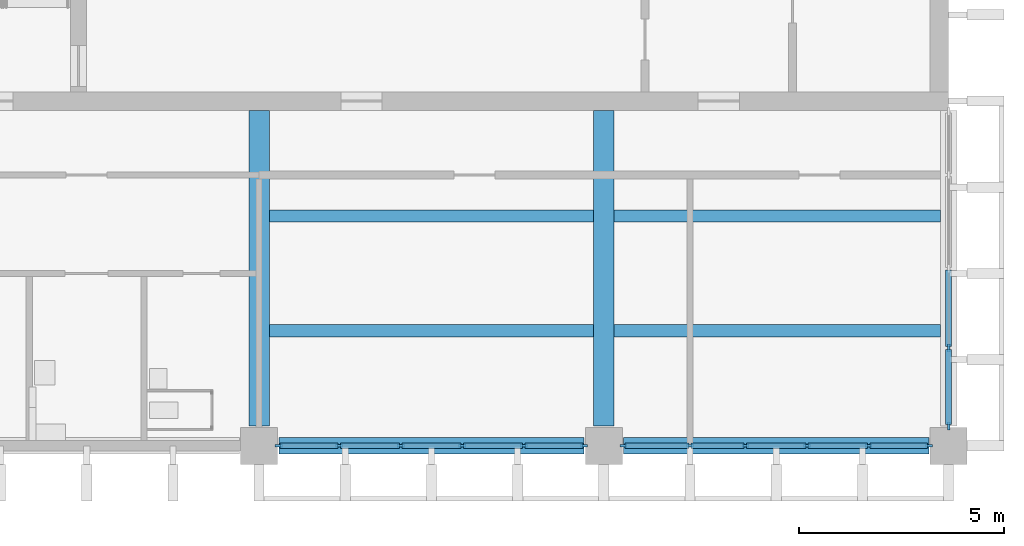
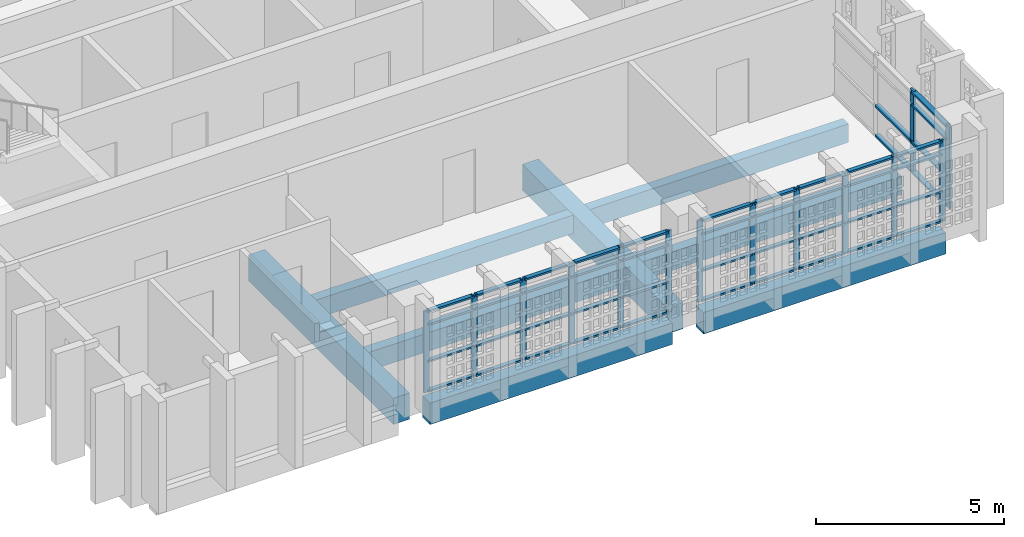
# One storey, part 2 of 13: 60 members, 8 beams, 3 elements without a shape of their own.
"""IFC4 building model written with IfcOpenShell, lengths in metres."""

from ifc_helpers import new_model, si_unit, direction, frame, origin, origin_2d, place, context, subcontext, project, spatial, rectangle, extrude, material, layer, layer_set, material_profile, profile_set, type_object, element, aggregate, save


model = new_model("IFC4")

# Units and contexts
model_context = context("Model", 3, precision=1e-05, world=origin(), true_north=direction((0.0, 1.0)))
body_context = subcontext(model_context, "Body", "Model", "MODEL_VIEW")
ifc_project = project(units=[si_unit("LENGTHUNIT", "METRE"), si_unit("AREAUNIT", "SQUARE_METRE"), si_unit("VOLUMEUNIT", "CUBIC_METRE"), si_unit("PLANEANGLEUNIT", "RADIAN"), si_unit("MASSUNIT", "GRAM", prefix="KILO")], contexts=[model_context])

# Site, building, storey
site_placement = place(None, origin())
site = spatial("IfcSite", under=ifc_project, at=site_placement, CompositionType="ELEMENT")
building_placement = place(site_placement, origin())
building = spatial("IfcBuilding", under=site, at=building_placement, Name="Rulbaag Community and Learning Centre", CompositionType="ELEMENT")
storey_placement = place(building_placement, frame((0.0, 0.0, 25.199951171875)))
storey = spatial("IfcBuildingStorey", under=building, at=storey_placement, Name="L06", CompositionType="ELEMENT", Elevation=25.199951171875)

# Beams
ifc_material_1 = material(Name="Concrete M40", Category="concrete")
ifc_material_profile_1 = material_profile(ifc_material_1, rectangle(XDim=0.39990234375, YDim=0.699951171875, at=origin_2d()), Name="RB400x700")
ifc_profile_set_1 = profile_set([ifc_material_profile_1], Name="Concrete M40")
beam_type_1 = type_object("IfcBeamType", Name="B17 Tower edge beam, lower zone 400x700 Concrete M40", PredefinedType="BEAM", material=ifc_profile_set_1)
beam_1_placement = place(storey_placement, frame((151.679931640625, 84.0, -0.599853515625), z_axis=(1.0, 0.0, 0.0), x_axis=(0.0, 1.0, 0.0)))
element("IfcBeam", 1, at=beam_1_placement, inside=storey, type_object=beam_type_1, Name="BM-L06-19K-20K", PredefinedType="BEAM", context=body_context, shape_type="SweptSolid", body=[
    extrude(rectangle(XDim=0.39990234375, YDim=0.699951171875, at=origin_2d()), origin(), (0.0, 0.0, 1.0), 7.440185546875),
])
beam_2_placement = place(storey_placement, frame((160.080078125, 84.0, -0.599853515625), z_axis=(1.0, 0.0, 0.0), x_axis=(0.0, 1.0, 0.0)))
element("IfcBeam", 2, at=beam_2_placement, inside=storey, type_object=beam_type_1, Name="BM-L06-20K-21K", PredefinedType="BEAM", context=body_context, shape_type="SweptSolid", body=[
    extrude(rectangle(XDim=0.39990234375, YDim=0.699951171875, at=origin_2d()), origin(), (0.0, 0.0, 1.0), 7.43994140625),
])
ifc_material_profile_2 = material_profile(ifc_material_1, rectangle(XDim=0.5, YDim=0.85009765625, at=origin_2d()), Name="RB500x850")
ifc_profile_set_2 = profile_set([ifc_material_profile_2], Name="Concrete M40")
beam_type_2 = type_object("IfcBeamType", Name="B18 Core-framing beam, lower zone 500x850 Concrete M40", PredefinedType="BEAM", material=ifc_profile_set_2)
for number, where, z_axis, x_axis, name in (
    (3, (151.199951171875, 84.47998046875, -0.675048828125), (0.0, 1.0, 0.0), (-1.0, 0.0, 0.0), "BM-L06-19K-19L"),
    (4, (159.60009765625, 84.47998046875, -0.675048828125), (0.0, 1.0, 0.0), (-1.0, 0.0, 0.0), "BM-L06-20K-20L"),
):
    element("IfcBeam", number, at=place(storey_placement, frame(where, z_axis=z_axis, x_axis=x_axis)), inside=storey, type_object=beam_type_2, Name=name, PredefinedType="BEAM", context=body_context, shape_type="SweptSolid", body=[
        extrude(rectangle(XDim=0.5, YDim=0.85009765625, at=origin_2d()), origin(), (0.0, 0.0, 1.0), 7.695068359375),
    ])
ifc_material_profile_3 = material_profile(ifc_material_1, rectangle(XDim=0.300048828125, YDim=0.60009765625, at=origin_2d()), Name="RB300x600")
ifc_profile_set_3 = profile_set([ifc_material_profile_3], Name="Concrete M40")
beam_type_3 = type_object("IfcBeamType", Name="B30 Secondary joist 300x600 Concrete M40", PredefinedType="BEAM", material=ifc_profile_set_3)
for number, where, z_axis, x_axis, name in (
    (5, (151.449951171875, 86.800048828125, -0.550048828125), (1.0, 0.0, 0.0), (0.0, 1.0, 0.0), "BM-JS-L06-19K-1"),
    (6, (151.449951171875, 89.60009765625, -0.550048828125), (1.0, 0.0, 0.0), (0.0, 1.0, 0.0), "BM-JS-L06-19K-2"),
):
    element("IfcBeam", number, at=place(storey_placement, frame(where, z_axis=z_axis, x_axis=x_axis)), inside=storey, type_object=beam_type_3, Name=name, PredefinedType="BEAM", context=body_context, shape_type="SweptSolid", body=[
        extrude(rectangle(XDim=0.300048828125, YDim=0.60009765625, at=origin_2d()), origin(), (0.0, 0.0, 1.0), 7.900146484375),
    ])
for number, where, z_axis, x_axis, name in (
    (7, (159.85009765625, 86.800048828125, -0.550048828125), (1.0, 0.0, 0.0), (0.0, 1.0, 0.0), "BM-JS-L06-20K-1"),
    (8, (159.85009765625, 89.60009765625, -0.550048828125), (1.0, 0.0, 0.0), (0.0, 1.0, 0.0), "BM-JS-L06-20K-2"),
):
    element("IfcBeam", number, at=place(storey_placement, frame(where, z_axis=z_axis, x_axis=x_axis)), inside=storey, type_object=beam_type_3, Name=name, PredefinedType="BEAM", context=body_context, shape_type="SweptSolid", body=[
        extrude(rectangle(XDim=0.300048828125, YDim=0.60009765625, at=origin_2d()), origin(), (0.0, 0.0, 1.0), 7.949951171875),
    ])

# Curtain wall, members
ifc_material_2 = material(Name="Aluminium", Category="aluminium")
ifc_layer_1 = layer(ifc_material_2, 0.14990234375)
ifc_layer_set_1 = layer_set([ifc_layer_1], Name="CW-S")
curtain_wall_type_1 = type_object("IfcCurtainWallType", Name="CW-S", PredefinedType="USERDEFINED", material=ifc_layer_set_1)
curtain_wall_1_placement = place(storey_placement, origin())
curtain_wall_1 = element("IfcCurtainWall", 9, at=curtain_wall_1_placement, inside=storey, type_object=curtain_wall_type_1, Name="GS-L06-01", ObjectType="UNITISED CURTAIN WALL", PredefinedType="USERDEFINED")
ifc_material_3 = material(Name="Aluminium mullion", Category="aluminium")
ifc_material_profile_4 = material_profile(ifc_material_3, rectangle(XDim=0.06005859375, YDim=0.175048828125, at=origin_2d()), Name="AL 60x175")
ifc_profile_set_4 = profile_set([ifc_material_profile_4], Name="Aluminium mullion")
member_type_1 = type_object("IfcMemberType", Name="CW-S-MUL", PredefinedType="MULLION", material=ifc_profile_set_4)
member_1_placement = place(storey_placement, frame((151.679931640625, 84.0, 0.0), z_axis=(0.0, 0.0, 1.0), x_axis=(0.0, 1.0, 0.0)))
member_1 = element("IfcMember", 10, at=member_1_placement, type_object=member_type_1, Name="GS mullion 1", PredefinedType="MULLION", context=body_context, shape_type="SweptSolid", body=[
    extrude(rectangle(XDim=0.06005859375, YDim=0.175048828125, at=origin_2d()), origin(), (0.0, 0.0, 1.0), 2.650146484375),
])
member_2_placement = place(storey_placement, frame((153.14990234375, 84.0, 0.0), z_axis=(0.0, 0.0, 1.0), x_axis=(0.0, 1.0, 0.0)))
member_2 = element("IfcMember", 11, at=member_2_placement, type_object=member_type_1, Name="GS mullion 2", PredefinedType="MULLION", context=body_context, shape_type="SweptSolid", body=[
    extrude(rectangle(XDim=0.06005859375, YDim=0.175048828125, at=origin_2d()), origin(), (0.0, 0.0, 1.0), 2.650146484375),
])
member_3_placement = place(storey_placement, frame((154.64990234375, 84.0, 0.0), z_axis=(0.0, 0.0, 1.0), x_axis=(0.0, 1.0, 0.0)))
member_3 = element("IfcMember", 12, at=member_3_placement, type_object=member_type_1, Name="GS mullion 3", PredefinedType="MULLION", context=body_context, shape_type="SweptSolid", body=[
    extrude(rectangle(XDim=0.06005859375, YDim=0.175048828125, at=origin_2d()), origin(), (0.0, 0.0, 1.0), 2.650146484375),
])
member_4_placement = place(storey_placement, frame((156.14990234375, 84.0, 0.0), z_axis=(0.0, 0.0, 1.0), x_axis=(0.0, 1.0, 0.0)))
member_4 = element("IfcMember", 13, at=member_4_placement, type_object=member_type_1, Name="GS mullion 4", PredefinedType="MULLION", context=body_context, shape_type="SweptSolid", body=[
    extrude(rectangle(XDim=0.06005859375, YDim=0.175048828125, at=origin_2d()), origin(), (0.0, 0.0, 1.0), 2.650146484375),
])
member_5_placement = place(storey_placement, frame((157.64990234375, 84.0, 0.0), z_axis=(0.0, 0.0, 1.0), x_axis=(0.0, 1.0, 0.0)))
member_5 = element("IfcMember", 14, at=member_5_placement, type_object=member_type_1, Name="GS mullion 5", PredefinedType="MULLION", context=body_context, shape_type="SweptSolid", body=[
    extrude(rectangle(XDim=0.06005859375, YDim=0.175048828125, at=origin_2d()), origin(), (0.0, 0.0, 1.0), 2.650146484375),
])
member_6_placement = place(storey_placement, frame((159.1201171875, 84.0, 0.0), z_axis=(0.0, 0.0, 1.0), x_axis=(0.0, 1.0, 0.0)))
member_6 = element("IfcMember", 15, at=member_6_placement, type_object=member_type_1, Name="GS mullion 6", PredefinedType="MULLION", context=body_context, shape_type="SweptSolid", body=[
    extrude(rectangle(XDim=0.06005859375, YDim=0.175048828125, at=origin_2d()), origin(), (0.0, 0.0, 1.0), 2.650146484375),
])

curtain_wall_2_placement = place(storey_placement, origin())
curtain_wall_2 = element("IfcCurtainWall", 16, at=curtain_wall_2_placement, inside=storey, type_object=curtain_wall_type_1, Name="GS-L06-02", ObjectType="UNITISED CURTAIN WALL", PredefinedType="USERDEFINED")
member_7_placement = place(storey_placement, frame((160.080078125, 84.0, 0.0), z_axis=(0.0, 0.0, 1.0), x_axis=(0.0, 1.0, 0.0)))
member_7 = element("IfcMember", 17, at=member_7_placement, type_object=member_type_1, Name="GS mullion 1", PredefinedType="MULLION", context=body_context, shape_type="SweptSolid", body=[
    extrude(rectangle(XDim=0.06005859375, YDim=0.175048828125, at=origin_2d()), origin(), (0.0, 0.0, 1.0), 2.650146484375),
])
member_8_placement = place(storey_placement, frame((161.699951171875, 84.0, 0.0), z_axis=(0.0, 0.0, 1.0), x_axis=(0.0, 1.0, 0.0)))
member_8 = element("IfcMember", 18, at=member_8_placement, type_object=member_type_1, Name="GS mullion 2", PredefinedType="MULLION", context=body_context, shape_type="SweptSolid", body=[
    extrude(rectangle(XDim=0.06005859375, YDim=0.175048828125, at=origin_2d()), origin(), (0.0, 0.0, 1.0), 2.650146484375),
])
member_9_placement = place(storey_placement, frame((163.050048828125, 84.0, 0.0), z_axis=(0.0, 0.0, 1.0), x_axis=(0.0, 1.0, 0.0)))
member_9 = element("IfcMember", 19, at=member_9_placement, type_object=member_type_1, Name="GS mullion 3", PredefinedType="MULLION", context=body_context, shape_type="SweptSolid", body=[
    extrude(rectangle(XDim=0.06005859375, YDim=0.175048828125, at=origin_2d()), origin(), (0.0, 0.0, 1.0), 2.650146484375),
])
member_10_placement = place(storey_placement, frame((164.550048828125, 84.0, 0.0), z_axis=(0.0, 0.0, 1.0), x_axis=(0.0, 1.0, 0.0)))
member_10 = element("IfcMember", 20, at=member_10_placement, type_object=member_type_1, Name="GS mullion 4", PredefinedType="MULLION", context=body_context, shape_type="SweptSolid", body=[
    extrude(rectangle(XDim=0.06005859375, YDim=0.175048828125, at=origin_2d()), origin(), (0.0, 0.0, 1.0), 2.650146484375),
])
member_11_placement = place(storey_placement, frame((166.050048828125, 84.0, 0.0), z_axis=(0.0, 0.0, 1.0), x_axis=(0.0, 1.0, 0.0)))
member_11 = element("IfcMember", 21, at=member_11_placement, type_object=member_type_1, Name="GS mullion 5", PredefinedType="MULLION", context=body_context, shape_type="SweptSolid", body=[
    extrude(rectangle(XDim=0.06005859375, YDim=0.175048828125, at=origin_2d()), origin(), (0.0, 0.0, 1.0), 2.650146484375),
])
member_12_placement = place(storey_placement, frame((167.52001953125, 84.0, 0.0), z_axis=(0.0, 0.0, 1.0), x_axis=(0.0, 1.0, 0.0)))
member_12 = element("IfcMember", 22, at=member_12_placement, type_object=member_type_1, Name="GS mullion 6", PredefinedType="MULLION", context=body_context, shape_type="SweptSolid", body=[
    extrude(rectangle(XDim=0.06005859375, YDim=0.175048828125, at=origin_2d()), origin(), (0.0, 0.0, 1.0), 2.650146484375),
])

# Member
ifc_material_4 = material(Name="Aluminium transom", Category="aluminium")
ifc_material_profile_5 = material_profile(ifc_material_4, rectangle(XDim=0.125, YDim=0.06005859375, at=origin_2d()), Name="AL 60x125 T")
ifc_profile_set_5 = profile_set([ifc_material_profile_5], Name="Aluminium transom")
member_type_2 = type_object("IfcMemberType", Name="CW-S-TRN", PredefinedType="USERDEFINED", material=ifc_profile_set_5)
member_13_placement = place(storey_placement, frame((151.7099609375, 84.0, 0.030029296875), z_axis=(1.0, 0.0, 0.0), x_axis=(0.0, 1.0, 0.0)))
member_13 = element("IfcMember", 23, at=member_13_placement, type_object=member_type_2, Name="GS transom 1.1", ObjectType="TRANSOM", PredefinedType="USERDEFINED", context=body_context, shape_type="SweptSolid", body=[
    extrude(rectangle(XDim=0.125, YDim=0.06005859375, at=origin_2d()), origin(), (0.0, 0.0, 1.0), 1.41015625),
])

member_14_placement = place(storey_placement, frame((151.7099609375, 84.0, 1.0), z_axis=(1.0, 0.0, 0.0), x_axis=(0.0, 1.0, 0.0)))
member_14 = element("IfcMember", 24, at=member_14_placement, type_object=member_type_2, Name="GS transom 1.2", ObjectType="TRANSOM", PredefinedType="USERDEFINED", context=body_context, shape_type="SweptSolid", body=[
    extrude(rectangle(XDim=0.125, YDim=0.06005859375, at=origin_2d()), origin(), (0.0, 0.0, 1.0), 1.41015625),
])

member_15_placement = place(storey_placement, frame((151.7099609375, 84.0, 2.199951171875), z_axis=(1.0, 0.0, 0.0), x_axis=(0.0, 1.0, 0.0)))
member_15 = element("IfcMember", 25, at=member_15_placement, type_object=member_type_2, Name="GS transom 1.3", ObjectType="TRANSOM", PredefinedType="USERDEFINED", context=body_context, shape_type="SweptSolid", body=[
    extrude(rectangle(XDim=0.125, YDim=0.06005859375, at=origin_2d()), origin(), (0.0, 0.0, 1.0), 1.41015625),
])

member_16_placement = place(storey_placement, frame((151.7099609375, 84.0, 2.6201171875), z_axis=(1.0, 0.0, 0.0), x_axis=(0.0, 1.0, 0.0)))
member_16 = element("IfcMember", 26, at=member_16_placement, type_object=member_type_2, Name="GS transom 1.4", ObjectType="TRANSOM", PredefinedType="USERDEFINED", context=body_context, shape_type="SweptSolid", body=[
    extrude(rectangle(XDim=0.125, YDim=0.06005859375, at=origin_2d()), origin(), (0.0, 0.0, 1.0), 1.41015625),
])

member_17_placement = place(storey_placement, frame((153.179931640625, 84.0, 0.030029296875), z_axis=(1.0, 0.0, 0.0), x_axis=(0.0, 1.0, 0.0)))
member_17 = element("IfcMember", 27, at=member_17_placement, type_object=member_type_2, Name="GS transom 2.1", ObjectType="TRANSOM", PredefinedType="USERDEFINED", context=body_context, shape_type="SweptSolid", body=[
    extrude(rectangle(XDim=0.125, YDim=0.06005859375, at=origin_2d()), origin(), (0.0, 0.0, 1.0), 1.440185546875),
])

member_18_placement = place(storey_placement, frame((153.179931640625, 84.0, 1.0), z_axis=(1.0, 0.0, 0.0), x_axis=(0.0, 1.0, 0.0)))
member_18 = element("IfcMember", 28, at=member_18_placement, type_object=member_type_2, Name="GS transom 2.2", ObjectType="TRANSOM", PredefinedType="USERDEFINED", context=body_context, shape_type="SweptSolid", body=[
    extrude(rectangle(XDim=0.125, YDim=0.06005859375, at=origin_2d()), origin(), (0.0, 0.0, 1.0), 1.440185546875),
])

member_19_placement = place(storey_placement, frame((153.179931640625, 84.0, 2.199951171875), z_axis=(1.0, 0.0, 0.0), x_axis=(0.0, 1.0, 0.0)))
member_19 = element("IfcMember", 29, at=member_19_placement, type_object=member_type_2, Name="GS transom 2.3", ObjectType="TRANSOM", PredefinedType="USERDEFINED", context=body_context, shape_type="SweptSolid", body=[
    extrude(rectangle(XDim=0.125, YDim=0.06005859375, at=origin_2d()), origin(), (0.0, 0.0, 1.0), 1.440185546875),
])

member_20_placement = place(storey_placement, frame((153.179931640625, 84.0, 2.6201171875), z_axis=(1.0, 0.0, 0.0), x_axis=(0.0, 1.0, 0.0)))
member_20 = element("IfcMember", 30, at=member_20_placement, type_object=member_type_2, Name="GS transom 2.4", ObjectType="TRANSOM", PredefinedType="USERDEFINED", context=body_context, shape_type="SweptSolid", body=[
    extrude(rectangle(XDim=0.125, YDim=0.06005859375, at=origin_2d()), origin(), (0.0, 0.0, 1.0), 1.440185546875),
])

member_21_placement = place(storey_placement, frame((154.679931640625, 84.0, 0.030029296875), z_axis=(1.0, 0.0, 0.0), x_axis=(0.0, 1.0, 0.0)))
member_21 = element("IfcMember", 31, at=member_21_placement, type_object=member_type_2, Name="GS transom 3.1", ObjectType="TRANSOM", PredefinedType="USERDEFINED", context=body_context, shape_type="SweptSolid", body=[
    extrude(rectangle(XDim=0.125, YDim=0.06005859375, at=origin_2d()), origin(), (0.0, 0.0, 1.0), 1.440185546875),
])

member_22_placement = place(storey_placement, frame((154.679931640625, 84.0, 1.0), z_axis=(1.0, 0.0, 0.0), x_axis=(0.0, 1.0, 0.0)))
member_22 = element("IfcMember", 32, at=member_22_placement, type_object=member_type_2, Name="GS transom 3.2", ObjectType="TRANSOM", PredefinedType="USERDEFINED", context=body_context, shape_type="SweptSolid", body=[
    extrude(rectangle(XDim=0.125, YDim=0.06005859375, at=origin_2d()), origin(), (0.0, 0.0, 1.0), 1.440185546875),
])

member_23_placement = place(storey_placement, frame((154.679931640625, 84.0, 2.199951171875), z_axis=(1.0, 0.0, 0.0), x_axis=(0.0, 1.0, 0.0)))
member_23 = element("IfcMember", 33, at=member_23_placement, type_object=member_type_2, Name="GS transom 3.3", ObjectType="TRANSOM", PredefinedType="USERDEFINED", context=body_context, shape_type="SweptSolid", body=[
    extrude(rectangle(XDim=0.125, YDim=0.06005859375, at=origin_2d()), origin(), (0.0, 0.0, 1.0), 1.440185546875),
])

member_24_placement = place(storey_placement, frame((154.679931640625, 84.0, 2.6201171875), z_axis=(1.0, 0.0, 0.0), x_axis=(0.0, 1.0, 0.0)))
member_24 = element("IfcMember", 34, at=member_24_placement, type_object=member_type_2, Name="GS transom 3.4", ObjectType="TRANSOM", PredefinedType="USERDEFINED", context=body_context, shape_type="SweptSolid", body=[
    extrude(rectangle(XDim=0.125, YDim=0.06005859375, at=origin_2d()), origin(), (0.0, 0.0, 1.0), 1.440185546875),
])

member_25_placement = place(storey_placement, frame((156.179931640625, 84.0, 0.030029296875), z_axis=(1.0, 0.0, 0.0), x_axis=(0.0, 1.0, 0.0)))
member_25 = element("IfcMember", 35, at=member_25_placement, type_object=member_type_2, Name="GS transom 4.1", ObjectType="TRANSOM", PredefinedType="USERDEFINED", context=body_context, shape_type="SweptSolid", body=[
    extrude(rectangle(XDim=0.125, YDim=0.06005859375, at=origin_2d()), origin(), (0.0, 0.0, 1.0), 1.440185546875),
])

member_26_placement = place(storey_placement, frame((156.179931640625, 84.0, 1.0), z_axis=(1.0, 0.0, 0.0), x_axis=(0.0, 1.0, 0.0)))
member_26 = element("IfcMember", 36, at=member_26_placement, type_object=member_type_2, Name="GS transom 4.2", ObjectType="TRANSOM", PredefinedType="USERDEFINED", context=body_context, shape_type="SweptSolid", body=[
    extrude(rectangle(XDim=0.125, YDim=0.06005859375, at=origin_2d()), origin(), (0.0, 0.0, 1.0), 1.440185546875),
])

member_27_placement = place(storey_placement, frame((156.179931640625, 84.0, 2.199951171875), z_axis=(1.0, 0.0, 0.0), x_axis=(0.0, 1.0, 0.0)))
member_27 = element("IfcMember", 37, at=member_27_placement, type_object=member_type_2, Name="GS transom 4.3", ObjectType="TRANSOM", PredefinedType="USERDEFINED", context=body_context, shape_type="SweptSolid", body=[
    extrude(rectangle(XDim=0.125, YDim=0.06005859375, at=origin_2d()), origin(), (0.0, 0.0, 1.0), 1.440185546875),
])

member_28_placement = place(storey_placement, frame((156.179931640625, 84.0, 2.6201171875), z_axis=(1.0, 0.0, 0.0), x_axis=(0.0, 1.0, 0.0)))
member_28 = element("IfcMember", 38, at=member_28_placement, type_object=member_type_2, Name="GS transom 4.4", ObjectType="TRANSOM", PredefinedType="USERDEFINED", context=body_context, shape_type="SweptSolid", body=[
    extrude(rectangle(XDim=0.125, YDim=0.06005859375, at=origin_2d()), origin(), (0.0, 0.0, 1.0), 1.440185546875),
])

member_29_placement = place(storey_placement, frame((157.679931640625, 84.0, 0.030029296875), z_axis=(1.0, 0.0, 0.0), x_axis=(0.0, 1.0, 0.0)))
member_29 = element("IfcMember", 39, at=member_29_placement, type_object=member_type_2, Name="GS transom 5.1", ObjectType="TRANSOM", PredefinedType="USERDEFINED", context=body_context, shape_type="SweptSolid", body=[
    extrude(rectangle(XDim=0.125, YDim=0.06005859375, at=origin_2d()), origin(), (0.0, 0.0, 1.0), 1.41015625),
])

member_30_placement = place(storey_placement, frame((157.679931640625, 84.0, 1.0), z_axis=(1.0, 0.0, 0.0), x_axis=(0.0, 1.0, 0.0)))
member_30 = element("IfcMember", 40, at=member_30_placement, type_object=member_type_2, Name="GS transom 5.2", ObjectType="TRANSOM", PredefinedType="USERDEFINED", context=body_context, shape_type="SweptSolid", body=[
    extrude(rectangle(XDim=0.125, YDim=0.06005859375, at=origin_2d()), origin(), (0.0, 0.0, 1.0), 1.41015625),
])

member_31_placement = place(storey_placement, frame((157.679931640625, 84.0, 2.199951171875), z_axis=(1.0, 0.0, 0.0), x_axis=(0.0, 1.0, 0.0)))
member_31 = element("IfcMember", 41, at=member_31_placement, type_object=member_type_2, Name="GS transom 5.3", ObjectType="TRANSOM", PredefinedType="USERDEFINED", context=body_context, shape_type="SweptSolid", body=[
    extrude(rectangle(XDim=0.125, YDim=0.06005859375, at=origin_2d()), origin(), (0.0, 0.0, 1.0), 1.41015625),
])

member_32_placement = place(storey_placement, frame((157.679931640625, 84.0, 2.6201171875), z_axis=(1.0, 0.0, 0.0), x_axis=(0.0, 1.0, 0.0)))
member_32 = element("IfcMember", 42, at=member_32_placement, type_object=member_type_2, Name="GS transom 5.4", ObjectType="TRANSOM", PredefinedType="USERDEFINED", context=body_context, shape_type="SweptSolid", body=[
    extrude(rectangle(XDim=0.125, YDim=0.06005859375, at=origin_2d()), origin(), (0.0, 0.0, 1.0), 1.41015625),
])

aggregate(curtain_wall_1, [member_1, member_2, member_3, member_4, member_5, member_6, member_13, member_14, member_15, member_16, member_17, member_18, member_19, member_20, member_21, member_22, member_23, member_24, member_25, member_26, member_27, member_28, member_29, member_30, member_31, member_32])

member_33_placement = place(storey_placement, frame((160.110107421875, 84.0, 0.030029296875), z_axis=(1.0, 0.0, 0.0), x_axis=(0.0, 1.0, 0.0)))
member_33 = element("IfcMember", 43, at=member_33_placement, type_object=member_type_2, Name="GS transom 1.1", ObjectType="TRANSOM", PredefinedType="USERDEFINED", context=body_context, shape_type="SweptSolid", body=[
    extrude(rectangle(XDim=0.125, YDim=0.06005859375, at=origin_2d()), origin(), (0.0, 0.0, 1.0), 1.559814453125),
])

member_34_placement = place(storey_placement, frame((160.110107421875, 84.0, 1.0), z_axis=(1.0, 0.0, 0.0), x_axis=(0.0, 1.0, 0.0)))
member_34 = element("IfcMember", 44, at=member_34_placement, type_object=member_type_2, Name="GS transom 1.2", ObjectType="TRANSOM", PredefinedType="USERDEFINED", context=body_context, shape_type="SweptSolid", body=[
    extrude(rectangle(XDim=0.125, YDim=0.06005859375, at=origin_2d()), origin(), (0.0, 0.0, 1.0), 1.559814453125),
])

member_35_placement = place(storey_placement, frame((160.110107421875, 84.0, 2.199951171875), z_axis=(1.0, 0.0, 0.0), x_axis=(0.0, 1.0, 0.0)))
member_35 = element("IfcMember", 45, at=member_35_placement, type_object=member_type_2, Name="GS transom 1.3", ObjectType="TRANSOM", PredefinedType="USERDEFINED", context=body_context, shape_type="SweptSolid", body=[
    extrude(rectangle(XDim=0.125, YDim=0.06005859375, at=origin_2d()), origin(), (0.0, 0.0, 1.0), 1.559814453125),
])

member_36_placement = place(storey_placement, frame((160.110107421875, 84.0, 2.6201171875), z_axis=(1.0, 0.0, 0.0), x_axis=(0.0, 1.0, 0.0)))
member_36 = element("IfcMember", 46, at=member_36_placement, type_object=member_type_2, Name="GS transom 1.4", ObjectType="TRANSOM", PredefinedType="USERDEFINED", context=body_context, shape_type="SweptSolid", body=[
    extrude(rectangle(XDim=0.125, YDim=0.06005859375, at=origin_2d()), origin(), (0.0, 0.0, 1.0), 1.559814453125),
])

member_37_placement = place(storey_placement, frame((161.72998046875, 84.0, 0.030029296875), z_axis=(1.0, 0.0, 0.0), x_axis=(0.0, 1.0, 0.0)))
member_37 = element("IfcMember", 47, at=member_37_placement, type_object=member_type_2, Name="GS transom 2.1", ObjectType="TRANSOM", PredefinedType="USERDEFINED", context=body_context, shape_type="SweptSolid", body=[
    extrude(rectangle(XDim=0.125, YDim=0.06005859375, at=origin_2d()), origin(), (0.0, 0.0, 1.0), 1.2900390625),
])

member_38_placement = place(storey_placement, frame((161.72998046875, 84.0, 1.0), z_axis=(1.0, 0.0, 0.0), x_axis=(0.0, 1.0, 0.0)))
member_38 = element("IfcMember", 48, at=member_38_placement, type_object=member_type_2, Name="GS transom 2.2", ObjectType="TRANSOM", PredefinedType="USERDEFINED", context=body_context, shape_type="SweptSolid", body=[
    extrude(rectangle(XDim=0.125, YDim=0.06005859375, at=origin_2d()), origin(), (0.0, 0.0, 1.0), 1.2900390625),
])

member_39_placement = place(storey_placement, frame((161.72998046875, 84.0, 2.199951171875), z_axis=(1.0, 0.0, 0.0), x_axis=(0.0, 1.0, 0.0)))
member_39 = element("IfcMember", 49, at=member_39_placement, type_object=member_type_2, Name="GS transom 2.3", ObjectType="TRANSOM", PredefinedType="USERDEFINED", context=body_context, shape_type="SweptSolid", body=[
    extrude(rectangle(XDim=0.125, YDim=0.06005859375, at=origin_2d()), origin(), (0.0, 0.0, 1.0), 1.2900390625),
])

member_40_placement = place(storey_placement, frame((161.72998046875, 84.0, 2.6201171875), z_axis=(1.0, 0.0, 0.0), x_axis=(0.0, 1.0, 0.0)))
member_40 = element("IfcMember", 50, at=member_40_placement, type_object=member_type_2, Name="GS transom 2.4", ObjectType="TRANSOM", PredefinedType="USERDEFINED", context=body_context, shape_type="SweptSolid", body=[
    extrude(rectangle(XDim=0.125, YDim=0.06005859375, at=origin_2d()), origin(), (0.0, 0.0, 1.0), 1.2900390625),
])

member_41_placement = place(storey_placement, frame((163.080078125, 84.0, 0.030029296875), z_axis=(1.0, 0.0, 0.0), x_axis=(0.0, 1.0, 0.0)))
member_41 = element("IfcMember", 51, at=member_41_placement, type_object=member_type_2, Name="GS transom 3.1", ObjectType="TRANSOM", PredefinedType="USERDEFINED", context=body_context, shape_type="SweptSolid", body=[
    extrude(rectangle(XDim=0.125, YDim=0.06005859375, at=origin_2d()), origin(), (0.0, 0.0, 1.0), 1.43994140625),
])

member_42_placement = place(storey_placement, frame((163.080078125, 84.0, 1.0), z_axis=(1.0, 0.0, 0.0), x_axis=(0.0, 1.0, 0.0)))
member_42 = element("IfcMember", 52, at=member_42_placement, type_object=member_type_2, Name="GS transom 3.2", ObjectType="TRANSOM", PredefinedType="USERDEFINED", context=body_context, shape_type="SweptSolid", body=[
    extrude(rectangle(XDim=0.125, YDim=0.06005859375, at=origin_2d()), origin(), (0.0, 0.0, 1.0), 1.43994140625),
])

member_43_placement = place(storey_placement, frame((163.080078125, 84.0, 2.199951171875), z_axis=(1.0, 0.0, 0.0), x_axis=(0.0, 1.0, 0.0)))
member_43 = element("IfcMember", 53, at=member_43_placement, type_object=member_type_2, Name="GS transom 3.3", ObjectType="TRANSOM", PredefinedType="USERDEFINED", context=body_context, shape_type="SweptSolid", body=[
    extrude(rectangle(XDim=0.125, YDim=0.06005859375, at=origin_2d()), origin(), (0.0, 0.0, 1.0), 1.43994140625),
])

member_44_placement = place(storey_placement, frame((163.080078125, 84.0, 2.6201171875), z_axis=(1.0, 0.0, 0.0), x_axis=(0.0, 1.0, 0.0)))
member_44 = element("IfcMember", 54, at=member_44_placement, type_object=member_type_2, Name="GS transom 3.4", ObjectType="TRANSOM", PredefinedType="USERDEFINED", context=body_context, shape_type="SweptSolid", body=[
    extrude(rectangle(XDim=0.125, YDim=0.06005859375, at=origin_2d()), origin(), (0.0, 0.0, 1.0), 1.43994140625),
])

member_45_placement = place(storey_placement, frame((164.580078125, 84.0, 0.030029296875), z_axis=(1.0, 0.0, 0.0), x_axis=(0.0, 1.0, 0.0)))
member_45 = element("IfcMember", 55, at=member_45_placement, type_object=member_type_2, Name="GS transom 4.1", ObjectType="TRANSOM", PredefinedType="USERDEFINED", context=body_context, shape_type="SweptSolid", body=[
    extrude(rectangle(XDim=0.125, YDim=0.06005859375, at=origin_2d()), origin(), (0.0, 0.0, 1.0), 1.43994140625),
])

member_46_placement = place(storey_placement, frame((164.580078125, 84.0, 1.0), z_axis=(1.0, 0.0, 0.0), x_axis=(0.0, 1.0, 0.0)))
member_46 = element("IfcMember", 56, at=member_46_placement, type_object=member_type_2, Name="GS transom 4.2", ObjectType="TRANSOM", PredefinedType="USERDEFINED", context=body_context, shape_type="SweptSolid", body=[
    extrude(rectangle(XDim=0.125, YDim=0.06005859375, at=origin_2d()), origin(), (0.0, 0.0, 1.0), 1.43994140625),
])

member_47_placement = place(storey_placement, frame((164.580078125, 84.0, 2.199951171875), z_axis=(1.0, 0.0, 0.0), x_axis=(0.0, 1.0, 0.0)))
member_47 = element("IfcMember", 57, at=member_47_placement, type_object=member_type_2, Name="GS transom 4.3", ObjectType="TRANSOM", PredefinedType="USERDEFINED", context=body_context, shape_type="SweptSolid", body=[
    extrude(rectangle(XDim=0.125, YDim=0.06005859375, at=origin_2d()), origin(), (0.0, 0.0, 1.0), 1.43994140625),
])

member_48_placement = place(storey_placement, frame((164.580078125, 84.0, 2.6201171875), z_axis=(1.0, 0.0, 0.0), x_axis=(0.0, 1.0, 0.0)))
member_48 = element("IfcMember", 58, at=member_48_placement, type_object=member_type_2, Name="GS transom 4.4", ObjectType="TRANSOM", PredefinedType="USERDEFINED", context=body_context, shape_type="SweptSolid", body=[
    extrude(rectangle(XDim=0.125, YDim=0.06005859375, at=origin_2d()), origin(), (0.0, 0.0, 1.0), 1.43994140625),
])

member_49_placement = place(storey_placement, frame((166.080078125, 84.0, 0.030029296875), z_axis=(1.0, 0.0, 0.0), x_axis=(0.0, 1.0, 0.0)))
member_49 = element("IfcMember", 59, at=member_49_placement, type_object=member_type_2, Name="GS transom 5.1", ObjectType="TRANSOM", PredefinedType="USERDEFINED", context=body_context, shape_type="SweptSolid", body=[
    extrude(rectangle(XDim=0.125, YDim=0.06005859375, at=origin_2d()), origin(), (0.0, 0.0, 1.0), 1.409912109375),
])

member_50_placement = place(storey_placement, frame((166.080078125, 84.0, 1.0), z_axis=(1.0, 0.0, 0.0), x_axis=(0.0, 1.0, 0.0)))
member_50 = element("IfcMember", 60, at=member_50_placement, type_object=member_type_2, Name="GS transom 5.2", ObjectType="TRANSOM", PredefinedType="USERDEFINED", context=body_context, shape_type="SweptSolid", body=[
    extrude(rectangle(XDim=0.125, YDim=0.06005859375, at=origin_2d()), origin(), (0.0, 0.0, 1.0), 1.409912109375),
])

member_51_placement = place(storey_placement, frame((166.080078125, 84.0, 2.199951171875), z_axis=(1.0, 0.0, 0.0), x_axis=(0.0, 1.0, 0.0)))
member_51 = element("IfcMember", 61, at=member_51_placement, type_object=member_type_2, Name="GS transom 5.3", ObjectType="TRANSOM", PredefinedType="USERDEFINED", context=body_context, shape_type="SweptSolid", body=[
    extrude(rectangle(XDim=0.125, YDim=0.06005859375, at=origin_2d()), origin(), (0.0, 0.0, 1.0), 1.409912109375),
])

member_52_placement = place(storey_placement, frame((166.080078125, 84.0, 2.6201171875), z_axis=(1.0, 0.0, 0.0), x_axis=(0.0, 1.0, 0.0)))
member_52 = element("IfcMember", 62, at=member_52_placement, type_object=member_type_2, Name="GS transom 5.4", ObjectType="TRANSOM", PredefinedType="USERDEFINED", context=body_context, shape_type="SweptSolid", body=[
    extrude(rectangle(XDim=0.125, YDim=0.06005859375, at=origin_2d()), origin(), (0.0, 0.0, 1.0), 1.409912109375),
])

aggregate(curtain_wall_2, [member_7, member_8, member_9, member_10, member_11, member_12, member_33, member_34, member_35, member_36, member_37, member_38, member_39, member_40, member_41, member_42, member_43, member_44, member_45, member_46, member_47, member_48, member_49, member_50, member_51, member_52])

# Curtain wall, members
ifc_layer_2 = layer(ifc_material_2, 0.14990234375)
ifc_layer_set_2 = layer_set([ifc_layer_2], Name="CW-T")
curtain_wall_type_2 = type_object("IfcCurtainWallType", Name="CW-T", PredefinedType="USERDEFINED", material=ifc_layer_set_2)
curtain_wall_3_placement = place(storey_placement, origin())
curtain_wall_3 = element("IfcCurtainWall", 63, at=curtain_wall_3_placement, inside=storey, type_object=curtain_wall_type_2, Name="GT-L06-02", ObjectType="UNITISED CURTAIN WALL", PredefinedType="USERDEFINED")
ifc_material_profile_6 = material_profile(ifc_material_3, rectangle(XDim=0.06494140625, YDim=0.199951171875, at=origin_2d()), Name="AL 65x200")
ifc_profile_set_6 = profile_set([ifc_material_profile_6], Name="Aluminium mullion")
member_type_3 = type_object("IfcMemberType", Name="CW-T-MUL", PredefinedType="MULLION", material=ifc_profile_set_6)
member_53_placement = place(storey_placement, frame((168.0, 84.482421875, 0.0), z_axis=(0.0, 0.0, 1.0), x_axis=(-1.0, 0.0, 0.0)))
member_53 = element("IfcMember", 64, at=member_53_placement, type_object=member_type_3, Name="GT mullion 1", PredefinedType="MULLION", context=body_context, shape_type="SweptSolid", body=[
    extrude(rectangle(XDim=0.06494140625, YDim=0.199951171875, at=origin_2d()), origin(), (0.0, 0.0, 1.0), 2.650146484375),
])
member_54_placement = place(storey_placement, frame((168.0, 86.38134765625, 0.0), z_axis=(0.0, 0.0, 1.0), x_axis=(-1.0, 0.0, 0.0)))
member_54 = element("IfcMember", 65, at=member_54_placement, type_object=member_type_3, Name="GT mullion 2", PredefinedType="MULLION", context=body_context, shape_type="SweptSolid", body=[
    extrude(rectangle(XDim=0.06494140625, YDim=0.199951171875, at=origin_2d()), origin(), (0.0, 0.0, 1.0), 2.650146484375),
])
ifc_material_profile_7 = material_profile(ifc_material_4, rectangle(XDim=0.14990234375, YDim=0.06494140625, at=origin_2d()), Name="AL 65x150 T")
ifc_profile_set_7 = profile_set([ifc_material_profile_7], Name="Aluminium transom")
member_type_4 = type_object("IfcMemberType", Name="CW-T-TRN", PredefinedType="USERDEFINED", material=ifc_profile_set_7)
member_55_placement = place(storey_placement, frame((168.0, 84.514892578125, 0.032470703125), z_axis=(0.0, 1.0, 0.0), x_axis=(-1.0, 0.0, 0.0)))
member_55 = element("IfcMember", 66, at=member_55_placement, type_object=member_type_4, Name="GT transom 1.1", ObjectType="TRANSOM", PredefinedType="USERDEFINED", context=body_context, shape_type="SweptSolid", body=[
    extrude(rectangle(XDim=0.14990234375, YDim=0.06494140625, at=origin_2d()), origin(), (0.0, 0.0, 1.0), 1.833740234375),
])
member_56_placement = place(storey_placement, frame((168.0, 84.514892578125, 1.0), z_axis=(0.0, 1.0, 0.0), x_axis=(-1.0, 0.0, 0.0)))
member_56 = element("IfcMember", 67, at=member_56_placement, type_object=member_type_4, Name="GT transom 1.2", ObjectType="TRANSOM", PredefinedType="USERDEFINED", context=body_context, shape_type="SweptSolid", body=[
    extrude(rectangle(XDim=0.14990234375, YDim=0.06494140625, at=origin_2d()), origin(), (0.0, 0.0, 1.0), 1.833740234375),
])
member_57_placement = place(storey_placement, frame((168.0, 84.514892578125, 2.199951171875), z_axis=(0.0, 1.0, 0.0), x_axis=(-1.0, 0.0, 0.0)))
member_57 = element("IfcMember", 68, at=member_57_placement, type_object=member_type_4, Name="GT transom 1.3", ObjectType="TRANSOM", PredefinedType="USERDEFINED", context=body_context, shape_type="SweptSolid", body=[
    extrude(rectangle(XDim=0.14990234375, YDim=0.06494140625, at=origin_2d()), origin(), (0.0, 0.0, 1.0), 1.833740234375),
])
member_58_placement = place(storey_placement, frame((168.0, 84.514892578125, 2.617431640625), z_axis=(0.0, 1.0, 0.0), x_axis=(-1.0, 0.0, 0.0)))
member_58 = element("IfcMember", 69, at=member_58_placement, type_object=member_type_4, Name="GT transom 1.4", ObjectType="TRANSOM", PredefinedType="USERDEFINED", context=body_context, shape_type="SweptSolid", body=[
    extrude(rectangle(XDim=0.14990234375, YDim=0.06494140625, at=origin_2d()), origin(), (0.0, 0.0, 1.0), 1.833740234375),
])
member_59_placement = place(storey_placement, frame((168.0, 86.413818359375, 0.032470703125), z_axis=(0.0, 1.0, 0.0), x_axis=(-1.0, 0.0, 0.0)))
member_59 = element("IfcMember", 70, at=member_59_placement, type_object=member_type_4, Name="GT transom 2.1", ObjectType="TRANSOM", PredefinedType="USERDEFINED", context=body_context, shape_type="SweptSolid", body=[
    extrude(rectangle(XDim=0.14990234375, YDim=0.06494140625, at=origin_2d()), origin(), (0.0, 0.0, 1.0), 1.8662109375),
])
member_60_placement = place(storey_placement, frame((168.0, 86.413818359375, 1.0), z_axis=(0.0, 1.0, 0.0), x_axis=(-1.0, 0.0, 0.0)))
member_60 = element("IfcMember", 71, at=member_60_placement, type_object=member_type_4, Name="GT transom 2.2", ObjectType="TRANSOM", PredefinedType="USERDEFINED", context=body_context, shape_type="SweptSolid", body=[
    extrude(rectangle(XDim=0.14990234375, YDim=0.06494140625, at=origin_2d()), origin(), (0.0, 0.0, 1.0), 1.8662109375),
])
aggregate(curtain_wall_3, [member_53, member_54, member_55, member_56, member_57, member_58, member_59, member_60])

save(model, "model.ifc")
